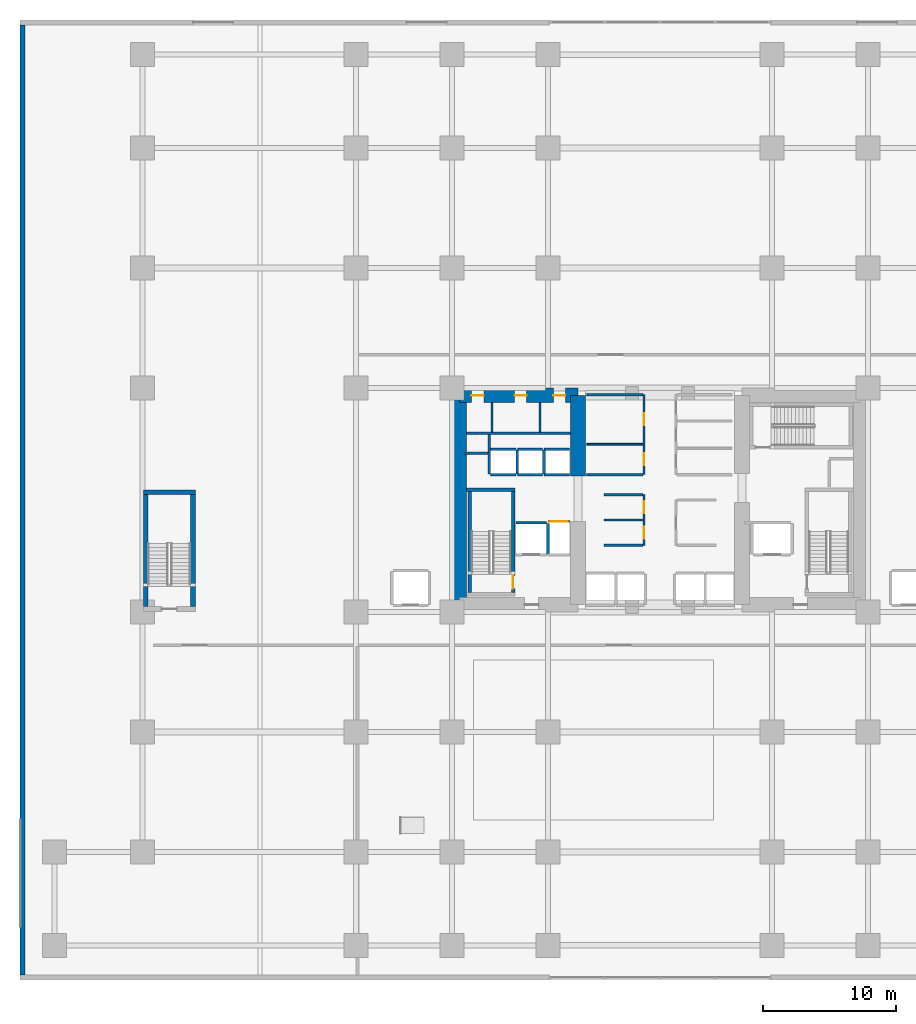
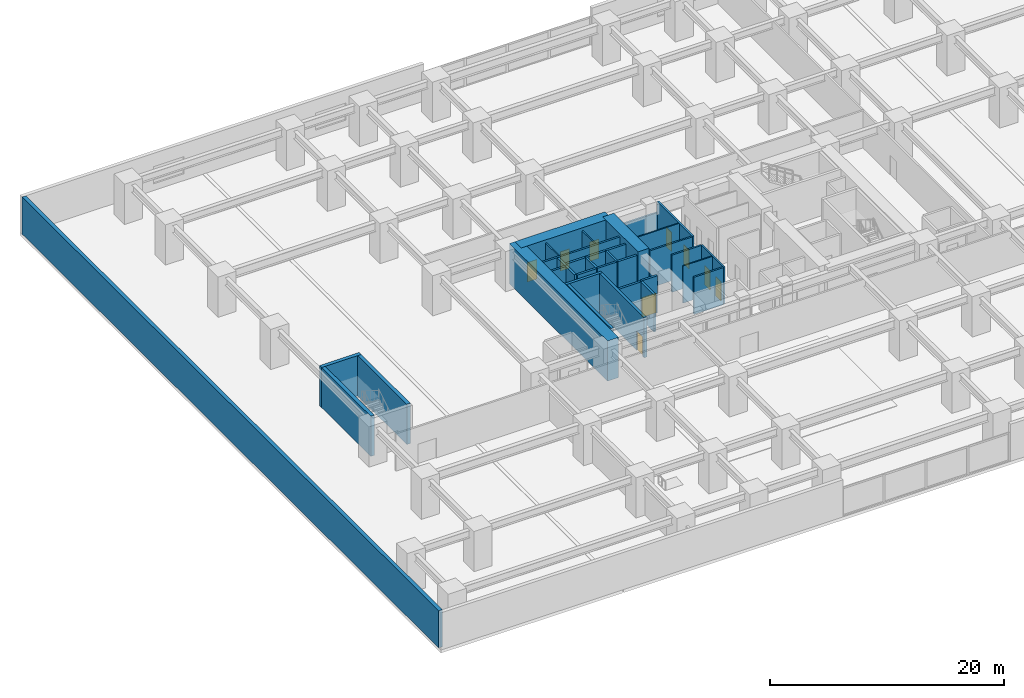
# One storey, part 11 of 22: 35 walls, 9 doors, 9 openings.
"""IFC4 building model written with IfcOpenShell, lengths in metres."""

from ifc_helpers import new_model, si_unit, direction, frame, frame_2d, origin, place, context, subcontext, project, spatial, rectangle, extrude, material, layer, layer_set, type_object, element, fill, save


model = new_model("IFC4")

# Units and contexts
model_context = context("Model", 3, precision=1e-05, world=origin(), true_north=direction((0.0, 1.0)))
body_context = subcontext(model_context, "Body", "Model", "MODEL_VIEW")
ifc_project = project(units=[si_unit("LENGTHUNIT", "METRE"), si_unit("AREAUNIT", "SQUARE_METRE"), si_unit("VOLUMEUNIT", "CUBIC_METRE"), si_unit("PLANEANGLEUNIT", "RADIAN"), si_unit("MASSUNIT", "GRAM", prefix="KILO")], contexts=[model_context])

# Site, building, storey
site_placement = place(None, origin())
site = spatial("IfcSite", under=ifc_project, at=site_placement, CompositionType="ELEMENT")
building_placement = place(site_placement, origin())
building = spatial("IfcBuilding", under=site, at=building_placement, Name="Kiyonajd Concourse Tower", CompositionType="ELEMENT")
storey_placement = place(building_placement, frame((0.0, 0.0, 4.5)))
storey = spatial("IfcBuildingStorey", under=building, at=storey_placement, Name="L02", CompositionType="ELEMENT", Elevation=4.5)

# Walls
ifc_material_1 = material(Name="Concrete C80/95", Category="concrete")
ifc_layer_1 = layer(ifc_material_1, 1.10009765625)
ifc_layer_set_1 = layer_set([ifc_layer_1], Name="Concrete C80/95")
wall_type_1 = type_object("IfcWallType", Name="WL-CORE-1100", PredefinedType="SHEAR", material=ifc_layer_set_1)
wall_1_placement = place(storey_placement, frame((32.949951171875, 27.60009765625, 0.0), z_axis=(0.0, 0.0, 1.0), x_axis=(0.0, 1.0, 0.0)))
element("IfcWall", 1, at=wall_1_placement, inside=storey, type_object=wall_type_1, Name="L02 West Core Outer Shear Wall", PredefinedType="SHEAR", context=body_context, shape_type="SweptSolid", body=[
    extrude(rectangle(XDim=16.7998046875, YDim=1.10009765625, at=frame_2d((8.39990234375, 0.0))), origin(), (0.0, 0.0, 1.0), 4.199951171875),
])
wall_2_placement = place(storey_placement, frame((41.85009765625, 37.800048828125, 0.0), z_axis=(0.0, 0.0, 1.0), x_axis=(0.0, 1.0, 0.0)))
element("IfcWall", 2, at=wall_2_placement, inside=storey, type_object=wall_type_1, Name="L02 West Core Inner North Shear Wall", PredefinedType="SHEAR", context=body_context, shape_type="SweptSolid", body=[
    extrude(rectangle(XDim=6.050048828125, YDim=1.10009765625, at=frame_2d((3.02490234375, 0.0))), origin(), (0.0, 0.0, 1.0), 4.199951171875),
])

# Wall, openings, doors
wall_3_placement = place(storey_placement, frame((32.949951171875, 43.85009765625, 0.0), z_axis=(0.0, 0.0, 1.0), x_axis=(1.0, 0.0, 0.0)))
wall_3 = element("IfcWall", 3, at=wall_3_placement, inside=storey, type_object=wall_type_1, Name="L02 West Core North Shear Wall", PredefinedType="SHEAR", context=body_context, shape_type="SweptSolid", body=[
    extrude(rectangle(XDim=8.900146484375, YDim=1.10009765625, at=frame_2d((4.4501953125, 0.0))), origin(), (0.0, 0.0, 1.0), 4.199951171875),
])
opening_1_placement = place(wall_3_placement, frame((0.89990234375, 0.0, 0.0)))
opening_1 = element("IfcOpeningElement", 4, at=opening_1_placement, cuts=wall_3, Name="Opening DI1", PredefinedType="OPENING", context=body_context, shape_type="SweptSolid", body=[
    extrude(rectangle(XDim=0.949951171875, YDim=2.0400390625, at=frame_2d((0.47509765625, 1.02001953125))), frame((0.0, 0.56005859375, 0.0), z_axis=(0.0, -1.0, 0.0), x_axis=(1.0, 0.0, 0.0)), (0.0, 0.0, 1.0), 1.1201171875),
])
opening_2_placement = place(wall_3_placement, frame((4.14990234375, 0.0, 0.0)))
opening_2 = element("IfcOpeningElement", 5, at=opening_2_placement, cuts=wall_3, Name="Opening DI2", PredefinedType="OPENING", context=body_context, shape_type="SweptSolid", body=[
    extrude(rectangle(XDim=0.89990234375, YDim=2.02001953125, at=frame_2d((0.449951171875, 1.010009765625))), frame((0.0, 0.56005859375, 0.0), z_axis=(0.0, -1.0, 0.0), x_axis=(1.0, 0.0, 0.0)), (0.0, 0.0, 1.0), 1.1201171875),
])
opening_3_placement = place(wall_3_placement, frame((7.050048828125, 0.0, 0.0)))
opening_3 = element("IfcOpeningElement", 6, at=opening_3_placement, cuts=wall_3, Name="Opening DI2", PredefinedType="OPENING", context=body_context, shape_type="SweptSolid", body=[
    extrude(rectangle(XDim=0.89990234375, YDim=2.02001953125, at=frame_2d((0.449951171875, 1.010009765625))), frame((0.0, 0.56005859375, 0.0), z_axis=(0.0, -1.0, 0.0), x_axis=(1.0, 0.0, 0.0)), (0.0, 0.0, 1.0), 1.1201171875),
])
ifc_material_2 = material(Name="Natural Oak Acoustic Timber Veneer", Category="wood")
door_type_1 = type_object("IfcDoorType", Name="DR-INT-900", OperationType="NOTDEFINED", PredefinedType="DOOR", material=ifc_material_2)
door_1_placement = place(opening_2_placement, origin())
door_1 = element("IfcDoor", 7, at=door_1_placement, inside=storey, type_object=door_type_1, Name="L02 Male Restroom Door", OperationType="SINGLE_SWING_RIGHT", OverallHeight=2.02001953125, OverallWidth=0.89990234375, PredefinedType="DOOR", context=body_context, shape_type="SweptSolid", body=[
    extrude(rectangle(XDim=0.89990234375, YDim=2.02001953125, at=frame_2d((0.449951171875, 1.010009765625))), frame((0.0, 0.02490234375, 0.0), z_axis=(0.0, -1.0, 0.0), x_axis=(1.0, 0.0, 0.0)), (0.0, 0.0, 1.0), 0.050048828125),
])
fill(opening_2, door_1)
door_2_placement = place(opening_3_placement, origin())
door_2 = element("IfcDoor", 8, at=door_2_placement, inside=storey, type_object=door_type_1, Name="L02 Female Restroom Door", OperationType="SINGLE_SWING_LEFT", OverallHeight=2.02001953125, OverallWidth=0.89990234375, PredefinedType="DOOR", context=body_context, shape_type="SweptSolid", body=[
    extrude(rectangle(XDim=0.89990234375, YDim=2.02001953125, at=frame_2d((0.449951171875, 1.010009765625))), frame((0.0, 0.02490234375, 0.0), z_axis=(0.0, -1.0, 0.0), x_axis=(1.0, 0.0, 0.0)), (0.0, 0.0, 1.0), 0.050048828125),
])
fill(opening_3, door_2)
door_type_2 = type_object("IfcDoorType", Name="DR-INT-950", OperationType="NOTDEFINED", PredefinedType="DOOR", material=ifc_material_2)
door_3_placement = place(opening_1_placement, origin())
door_3 = element("IfcDoor", 9, at=door_3_placement, inside=storey, type_object=door_type_2, Name="L02 Single User Accessible WC Door", OperationType="SINGLE_SWING_LEFT", OverallHeight=2.0400390625, OverallWidth=0.949951171875, PredefinedType="DOOR", context=body_context, shape_type="SweptSolid", body=[
    extrude(rectangle(XDim=0.949951171875, YDim=2.0400390625, at=frame_2d((0.47509765625, 1.02001953125))), frame((0.0, 0.02490234375, 0.0), z_axis=(0.0, -1.0, 0.0), x_axis=(1.0, 0.0, 0.0)), (0.0, 0.0, 1.0), 0.050048828125),
])
fill(opening_1, door_3)

# Walls
ifc_material_3 = material(Name="Precast concrete C50/60", Category="concrete")
ifc_layer_2 = layer(ifc_material_3, 0.360107421875)
ifc_layer_set_2 = layer_set([ifc_layer_2], Name="Precast concrete C50/60")
wall_type_2 = type_object("IfcWallType", Name="WL-EXT-360", PredefinedType="SOLIDWALL", material=ifc_layer_set_2)
wall_4_placement = place(storey_placement, frame((0.179931640625, 0.360107421875, 0.0), z_axis=(0.0, 0.0, 1.0), x_axis=(0.0, 1.0, 0.0)))
element("IfcWall", 10, at=wall_4_placement, inside=storey, type_object=wall_type_2, Name="L02 West Podium Limestone Facade Wall", PredefinedType="SOLIDWALL", context=body_context, shape_type="SweptSolid", body=[
    extrude(rectangle(XDim=71.27978515625, YDim=0.360107421875, at=frame_2d((35.639892578125, 0.0))), origin(), (0.0, 0.0, 1.0), 3.8798828125),
])
ifc_material_4 = material(Name="Gypsum Board on Cold-Formed Steel Stud", Category="steel")
ifc_layer_3 = layer(ifc_material_4, 0.125)
ifc_layer_set_3 = layer_set([ifc_layer_3], Name="Gypsum Board on Cold-Formed Steel Stud")
wall_type_3 = type_object("IfcWallType", Name="WL-PART-125", PredefinedType="PARTITIONING", material=ifc_layer_set_3)
for number, where, z_axis, x_axis, name in (
    (11, (35.39990234375, 41.094970703125, 0.0), (0.0, 0.0, 1.0), (0.0, 1.0, 0.0), "L02 Interior Partition Wall"),
    (12, (39.0, 41.094970703125, 0.0), (0.0, 0.0, 1.0), (0.0, 1.0, 0.0), "L02 Interior Partition Wall"),
):
    element("IfcWall", number, at=place(storey_placement, frame(where, z_axis=z_axis, x_axis=x_axis)), inside=storey, type_object=wall_type_3, Name=name, PredefinedType="PARTITIONING", context=body_context, shape_type="SweptSolid", body=[
        extrude(rectangle(XDim=2.205078125, YDim=0.125, at=frame_2d((1.1025390625, 0.0))), origin(), (0.0, 0.0, 1.0), 3.8798828125),
    ])
wall_5_placement = place(storey_placement, frame((43.800048828125, 34.5, 0.0), z_axis=(0.0, 0.0, 1.0), x_axis=(1.0, 0.0, 0.0)))
element("IfcWall", 13, at=wall_5_placement, inside=storey, type_object=wall_type_3, Name="L02 Interior Partition Wall", PredefinedType="PARTITIONING", context=body_context, shape_type="SweptSolid", body=[
    extrude(rectangle(XDim=2.912841796875, YDim=0.125, at=frame_2d((1.45654296875, 0.0))), origin(), (0.0, 0.0, 1.0), 3.8798828125),
])
wall_6_placement = place(storey_placement, frame((42.5, 40.179931640625, 0.0), z_axis=(0.0, 0.0, 1.0), x_axis=(1.0, 0.0, 0.0)))
element("IfcWall", 14, at=wall_6_placement, inside=storey, type_object=wall_type_3, Name="L02 Interior Partition Wall", PredefinedType="PARTITIONING", context=body_context, shape_type="SweptSolid", body=[
    extrude(rectangle(XDim=4.212890625, YDim=0.125, at=frame_2d((2.1064453125, 0.0))), origin(), (0.0, 0.0, 1.0), 3.8798828125),
])
ifc_layer_4 = layer(ifc_material_4, 0.18994140625)
ifc_layer_set_4 = layer_set([ifc_layer_4], Name="Gypsum Board on Cold-Formed Steel Stud")
wall_type_4 = type_object("IfcWallType", Name="WL-PLMB-190", PredefinedType="PLUMBINGWALL", material=ifc_layer_set_4)
wall_7_placement = place(storey_placement, frame((33.5, 41.0, 0.0), z_axis=(0.0, 0.0, 1.0), x_axis=(1.0, 0.0, 0.0)))
element("IfcWall", 15, at=wall_7_placement, inside=storey, type_object=wall_type_4, Name="L02 Interior Partition Wall", PredefinedType="PLUMBINGWALL", context=body_context, shape_type="SweptSolid", body=[
    extrude(rectangle(XDim=7.800048828125, YDim=0.18994140625, at=frame_2d((3.89990234375, 0.0))), origin(), (0.0, 0.0, 1.0), 3.8798828125),
])
ifc_layer_5 = layer(ifc_material_4, 0.2099609375)
ifc_layer_set_5 = layer_set([ifc_layer_5], Name="Gypsum Board on Cold-Formed Steel Stud")
wall_type_5 = type_object("IfcWallType", Name="WL-SHAFT-210", PredefinedType="PARTITIONING", material=ifc_layer_set_5)
wall_8_placement = place(storey_placement, frame((33.360107421875, 39.5, 0.0), z_axis=(0.0, 0.0, 1.0), x_axis=(1.0, 0.0, 0.0)))
element("IfcWall", 16, at=wall_8_placement, inside=storey, type_object=wall_type_5, Name="L02 Shaft Enclosure Wall", PredefinedType="PARTITIONING", context=body_context, shape_type="SweptSolid", body=[
    extrude(rectangle(XDim=1.85986328125, YDim=0.2099609375, at=frame_2d((0.929931640625, 0.0))), origin(), (0.0, 0.0, 1.0), 3.8798828125),
])
wall_9_placement = place(storey_placement, frame((35.199951171875, 39.580078125, 0.0), z_axis=(0.0, 0.0, 1.0), x_axis=(0.0, 1.0, 0.0)))
element("IfcWall", 17, at=wall_9_placement, inside=storey, type_object=wall_type_5, Name="L02 Shaft Enclosure Wall", PredefinedType="PARTITIONING", context=body_context, shape_type="SweptSolid", body=[
    extrude(rectangle(XDim=1.31982421875, YDim=0.2099609375, at=frame_2d((0.659912109375, 0.0))), origin(), (0.0, 0.0, 1.0), 3.8798828125),
])
wall_10_placement = place(storey_placement, frame((37.199951171875, 34.300048828125, 0.0), z_axis=(0.0, 0.0, 1.0), x_axis=(1.0, 0.0, 0.0)))
element("IfcWall", 18, at=wall_10_placement, inside=storey, type_object=wall_type_5, Name="L02 Shaft Enclosure Wall", PredefinedType="PARTITIONING", context=body_context, shape_type="SweptSolid", body=[
    extrude(rectangle(XDim=2.300048828125, YDim=0.2099609375, at=frame_2d((1.14990234375, 0.0))), origin(), (0.0, 0.0, 1.0), 3.8798828125),
])
wall_11_placement = place(storey_placement, frame((39.60009765625, 31.9599609375, 0.0), z_axis=(0.0, 0.0, 1.0), x_axis=(0.0, 1.0, 0.0)))
element("IfcWall", 19, at=wall_11_placement, inside=storey, type_object=wall_type_5, Name="L02 Shaft Enclosure Wall", PredefinedType="PARTITIONING", context=body_context, shape_type="SweptSolid", body=[
    extrude(rectangle(XDim=2.280029296875, YDim=0.2099609375, at=frame_2d((1.14013671875, 0.0))), origin(), (0.0, 0.0, 1.0), 3.8798828125),
])

# Wall, opening, door
wall_12_placement = place(storey_placement, frame((39.60009765625, 34.39990234375, 0.0), z_axis=(0.0, 0.0, 1.0), x_axis=(1.0, 0.0, 0.0)))
wall_12 = element("IfcWall", 20, at=wall_12_placement, inside=storey, type_object=wall_type_5, Name="L02 Shaft Enclosure Wall", PredefinedType="PARTITIONING", context=body_context, shape_type="SweptSolid", body=[
    extrude(rectangle(XDim=1.599853515625, YDim=0.2099609375, at=frame_2d((0.7998046875, 0.0))), origin(), (0.0, 0.0, 1.0), 3.8798828125),
])
opening_4_placement = place(wall_12_placement, frame((0.10009765625, 0.0, 0.0)))
opening_4 = element("IfcOpeningElement", 21, at=opening_4_placement, cuts=wall_12, Name="Opening LD3", PredefinedType="OPENING", context=body_context, shape_type="SweptSolid", body=[
    extrude(rectangle(XDim=1.39990234375, YDim=2.06005859375, at=frame_2d((0.699951171875, 1.030029296875))), frame((0.0, 0.114990234375, 0.0), z_axis=(0.0, -1.0, 0.0), x_axis=(1.0, 0.0, 0.0)), (0.0, 0.0, 1.0), 0.22998046875),
])
ifc_material_5 = material(Name="Brushed Stainless Steel Cab Assembly", Category="steel")
door_type_3 = type_object("IfcDoorType", Name="DR-LD-1400", OperationType="DOUBLE_DOOR_SLIDING", PredefinedType="DOOR", material=ifc_material_5)
door_4_placement = place(opening_4_placement, origin())
door_4 = element("IfcDoor", 22, at=door_4_placement, inside=storey, type_object=door_type_3, Name="L02 Lift SVL1 Sliding Landing Door", OperationType="DOUBLE_DOOR_SLIDING", OverallHeight=2.06005859375, OverallWidth=1.39990234375, PredefinedType="DOOR", context=body_context, shape_type="SweptSolid", body=[
    extrude(rectangle(XDim=1.39990234375, YDim=2.06005859375, at=frame_2d((0.699951171875, 1.030029296875))), frame((0.0, 0.02490234375, 0.0), z_axis=(0.0, -1.0, 0.0), x_axis=(1.0, 0.0, 0.0)), (0.0, 0.0, 1.0), 0.050048828125),
])
fill(opening_4, door_4)

# Walls
for number, where, z_axis, x_axis, name in (
    (23, (35.300048828125, 37.89990234375, 0.0), (0.0, 0.0, 1.0), (1.0, 0.0, 0.0), "L02 Shaft Enclosure Wall"),
    (24, (35.300048828125, 39.800048828125, 0.0), (0.0, 0.0, 1.0), (1.0, 0.0, 0.0), "L02 Shaft Enclosure Wall"),
):
    element("IfcWall", number, at=place(storey_placement, frame(where, z_axis=z_axis, x_axis=x_axis)), inside=storey, type_object=wall_type_5, Name=name, PredefinedType="PARTITIONING", context=body_context, shape_type="SweptSolid", body=[
        extrude(rectangle(XDim=1.89990234375, YDim=0.2099609375, at=frame_2d((0.949951171875, 0.0))), origin(), (0.0, 0.0, 1.0), 3.8798828125),
    ])
wall_13_placement = place(storey_placement, frame((35.199951171875, 37.9599609375, 0.0), z_axis=(0.0, 0.0, 1.0), x_axis=(0.0, 1.0, 0.0)))
element("IfcWall", 25, at=wall_13_placement, inside=storey, type_object=wall_type_5, Name="L02 Shaft Enclosure Wall", PredefinedType="PARTITIONING", context=body_context, shape_type="SweptSolid", body=[
    extrude(rectangle(XDim=1.6201171875, YDim=0.2099609375, at=frame_2d((0.81005859375, 0.0))), origin(), (0.0, 0.0, 1.0), 3.8798828125),
])
wall_14_placement = place(storey_placement, frame((37.300048828125, 37.9599609375, 0.0), z_axis=(0.0, 0.0, 1.0), x_axis=(0.0, 1.0, 0.0)))
element("IfcWall", 26, at=wall_14_placement, inside=storey, type_object=wall_type_5, Name="L02 Shaft Enclosure Wall", PredefinedType="PARTITIONING", context=body_context, shape_type="SweptSolid", body=[
    extrude(rectangle(XDim=1.780029296875, YDim=0.2099609375, at=frame_2d((0.89013671875, 0.0))), origin(), (0.0, 0.0, 1.0), 3.8798828125),
])
for number, where, z_axis, x_axis, name in (
    (27, (37.300048828125, 37.89990234375, 0.0), (0.0, 0.0, 1.0), (1.0, 0.0, 0.0), "L02 Shaft Enclosure Wall"),
    (28, (37.300048828125, 39.800048828125, 0.0), (0.0, 0.0, 1.0), (1.0, 0.0, 0.0), "L02 Shaft Enclosure Wall"),
):
    element("IfcWall", number, at=place(storey_placement, frame(where, z_axis=z_axis, x_axis=x_axis)), inside=storey, type_object=wall_type_5, Name=name, PredefinedType="PARTITIONING", context=body_context, shape_type="SweptSolid", body=[
        extrude(rectangle(XDim=1.89990234375, YDim=0.2099609375, at=frame_2d((0.949951171875, 0.0))), origin(), (0.0, 0.0, 1.0), 3.8798828125),
    ])
wall_15_placement = place(storey_placement, frame((39.300048828125, 37.9599609375, 0.0), z_axis=(0.0, 0.0, 1.0), x_axis=(0.0, 1.0, 0.0)))
element("IfcWall", 29, at=wall_15_placement, inside=storey, type_object=wall_type_5, Name="L02 Shaft Enclosure Wall", PredefinedType="PARTITIONING", context=body_context, shape_type="SweptSolid", body=[
    extrude(rectangle(XDim=1.780029296875, YDim=0.2099609375, at=frame_2d((0.89013671875, 0.0))), origin(), (0.0, 0.0, 1.0), 3.8798828125),
])
for number, where, z_axis, x_axis, name in (
    (30, (39.300048828125, 37.89990234375, 0.0), (0.0, 0.0, 1.0), (1.0, 0.0, 0.0), "L02 Shaft Enclosure Wall"),
    (31, (39.300048828125, 39.800048828125, 0.0), (0.0, 0.0, 1.0), (1.0, 0.0, 0.0), "L02 Shaft Enclosure Wall"),
):
    element("IfcWall", number, at=place(storey_placement, frame(where, z_axis=z_axis, x_axis=x_axis)), inside=storey, type_object=wall_type_5, Name=name, PredefinedType="PARTITIONING", context=body_context, shape_type="SweptSolid", body=[
        extrude(rectangle(XDim=1.89990234375, YDim=0.2099609375, at=frame_2d((0.949951171875, 0.0))), origin(), (0.0, 0.0, 1.0), 3.8798828125),
    ])

# Wall, openings, doors
ifc_layer_6 = layer(ifc_material_4, 0.169921875)
ifc_layer_set_6 = layer_set([ifc_layer_6], Name="Gypsum Board on Cold-Formed Steel Stud")
wall_type_6 = type_object("IfcWallType", Name="WL-SMK-170", PredefinedType="PARTITIONING", material=ifc_layer_set_6)
wall_16_placement = place(storey_placement, frame((46.800048828125, 32.60009765625, 0.0), z_axis=(0.0, 0.0, 1.0), x_axis=(0.0, 1.0, 0.0)))
wall_16 = element("IfcWall", 32, at=wall_16_placement, inside=storey, type_object=wall_type_6, Name="L02 Interior Partition Wall", PredefinedType="PARTITIONING", context=body_context, shape_type="SweptSolid", body=[
    extrude(rectangle(XDim=3.7998046875, YDim=0.169921875, at=frame_2d((1.89990234375, 0.0))), origin(), (0.0, 0.0, 1.0), 3.8798828125),
])
opening_5_placement = place(wall_16_placement, frame((0.5, 0.0, 0.0)))
opening_5 = element("IfcOpeningElement", 33, at=opening_5_placement, cuts=wall_16, Name="Opening DI2", PredefinedType="OPENING", context=body_context, shape_type="SweptSolid", body=[
    extrude(rectangle(XDim=0.89990234375, YDim=2.02001953125, at=frame_2d((0.449951171875, 1.010009765625))), frame((0.0, 0.094970703125, 0.0), z_axis=(0.0, -1.0, 0.0), x_axis=(1.0, 0.0, 0.0)), (0.0, 0.0, 1.0), 0.18994140625),
])
opening_6_placement = place(wall_16_placement, frame((2.39990234375, 0.0, 0.0)))
opening_6 = element("IfcOpeningElement", 34, at=opening_6_placement, cuts=wall_16, Name="Opening DI2", PredefinedType="OPENING", context=body_context, shape_type="SweptSolid", body=[
    extrude(rectangle(XDim=0.89990234375, YDim=2.02001953125, at=frame_2d((0.449951171875, 1.010009765625))), frame((0.0, 0.094970703125, 0.0), z_axis=(0.0, -1.0, 0.0), x_axis=(1.0, 0.0, 0.0)), (0.0, 0.0, 1.0), 0.18994140625),
])
door_5_placement = place(opening_5_placement, origin())
door_5 = element("IfcDoor", 35, at=door_5_placement, inside=storey, type_object=door_type_1, Name="L02 Interior Door", OperationType="SINGLE_SWING_LEFT", OverallHeight=2.02001953125, OverallWidth=0.89990234375, PredefinedType="DOOR", context=body_context, shape_type="SweptSolid", body=[
    extrude(rectangle(XDim=0.89990234375, YDim=2.02001953125, at=frame_2d((0.449951171875, 1.010009765625))), frame((0.0, 0.02490234375, 0.0), z_axis=(0.0, -1.0, 0.0), x_axis=(1.0, 0.0, 0.0)), (0.0, 0.0, 1.0), 0.050048828125),
])
fill(opening_5, door_5)
door_6_placement = place(opening_6_placement, origin())
door_6 = element("IfcDoor", 36, at=door_6_placement, inside=storey, type_object=door_type_1, Name="L02 Interior Door", OperationType="SINGLE_SWING_RIGHT", OverallHeight=2.02001953125, OverallWidth=0.89990234375, PredefinedType="DOOR", context=body_context, shape_type="SweptSolid", body=[
    extrude(rectangle(XDim=0.89990234375, YDim=2.02001953125, at=frame_2d((0.449951171875, 1.010009765625))), frame((0.0, 0.02490234375, 0.0), z_axis=(0.0, -1.0, 0.0), x_axis=(1.0, 0.0, 0.0)), (0.0, 0.0, 1.0), 0.050048828125),
])
fill(opening_6, door_6)

# Walls
for number, where, z_axis, x_axis, name in (
    (37, (43.800048828125, 32.60009765625, 0.0), (0.0, 0.0, 1.0), (1.0, 0.0, 0.0), "L02 Interior Partition Wall"),
    (38, (43.800048828125, 36.39990234375, 0.0), (0.0, 0.0, 1.0), (1.0, 0.0, 0.0), "L02 Interior Partition Wall"),
):
    element("IfcWall", number, at=place(storey_placement, frame(where, z_axis=z_axis, x_axis=x_axis)), inside=storey, type_object=wall_type_6, Name=name, PredefinedType="PARTITIONING", context=body_context, shape_type="SweptSolid", body=[
        extrude(rectangle(XDim=2.912841796875, YDim=0.169921875, at=frame_2d((1.45654296875, 0.0))), origin(), (0.0, 0.0, 1.0), 3.8798828125),
    ])

# Wall, openings, doors
wall_17_placement = place(storey_placement, frame((46.800048828125, 37.89990234375, 0.0), z_axis=(0.0, 0.0, 1.0), x_axis=(0.0, 1.0, 0.0)))
wall_17 = element("IfcWall", 39, at=wall_17_placement, inside=storey, type_object=wall_type_6, Name="L02 Interior Partition Wall", PredefinedType="PARTITIONING", context=body_context, shape_type="SweptSolid", body=[
    extrude(rectangle(XDim=6.0, YDim=0.169921875, at=frame_2d((3.0, 0.0))), origin(), (0.0, 0.0, 1.0), 3.8798828125),
])
opening_7_placement = place(wall_17_placement, frame((0.68994140625, 0.0, 0.0)))
opening_7 = element("IfcOpeningElement", 40, at=opening_7_placement, cuts=wall_17, Name="Opening DI2", PredefinedType="OPENING", context=body_context, shape_type="SweptSolid", body=[
    extrude(rectangle(XDim=0.89990234375, YDim=2.02001953125, at=frame_2d((0.449951171875, 1.010009765625))), frame((0.0, 0.094970703125, 0.0), z_axis=(0.0, -1.0, 0.0), x_axis=(1.0, 0.0, 0.0)), (0.0, 0.0, 1.0), 0.18994140625),
])
opening_8_placement = place(wall_17_placement, frame((3.68994140625, 0.0, 0.0)))
opening_8 = element("IfcOpeningElement", 41, at=opening_8_placement, cuts=wall_17, Name="Opening DI2", PredefinedType="OPENING", context=body_context, shape_type="SweptSolid", body=[
    extrude(rectangle(XDim=0.89990234375, YDim=2.02001953125, at=frame_2d((0.449951171875, 1.010009765625))), frame((0.0, 0.094970703125, 0.0), z_axis=(0.0, -1.0, 0.0), x_axis=(1.0, 0.0, 0.0)), (0.0, 0.0, 1.0), 0.18994140625),
])
door_7_placement = place(opening_7_placement, origin())
door_7 = element("IfcDoor", 42, at=door_7_placement, inside=storey, type_object=door_type_1, Name="L02 Interior Door", OperationType="SINGLE_SWING_RIGHT", OverallHeight=2.02001953125, OverallWidth=0.89990234375, PredefinedType="DOOR", context=body_context, shape_type="SweptSolid", body=[
    extrude(rectangle(XDim=0.89990234375, YDim=2.02001953125, at=frame_2d((0.449951171875, 1.010009765625))), frame((0.0, 0.02490234375, 0.0), z_axis=(0.0, -1.0, 0.0), x_axis=(1.0, 0.0, 0.0)), (0.0, 0.0, 1.0), 0.050048828125),
])
fill(opening_7, door_7)
door_8_placement = place(opening_8_placement, origin())
door_8 = element("IfcDoor", 43, at=door_8_placement, inside=storey, type_object=door_type_1, Name="L02 Interior Door", OperationType="SINGLE_SWING_LEFT", OverallHeight=2.02001953125, OverallWidth=0.89990234375, PredefinedType="DOOR", context=body_context, shape_type="SweptSolid", body=[
    extrude(rectangle(XDim=0.89990234375, YDim=2.02001953125, at=frame_2d((0.449951171875, 1.010009765625))), frame((0.0, 0.02490234375, 0.0), z_axis=(0.0, -1.0, 0.0), x_axis=(1.0, 0.0, 0.0)), (0.0, 0.0, 1.0), 0.050048828125),
])
fill(opening_8, door_8)

# Walls
wall_18_placement = place(storey_placement, frame((42.5, 37.89990234375, 0.0), z_axis=(0.0, 0.0, 1.0), x_axis=(1.0, 0.0, 0.0)))
element("IfcWall", 44, at=wall_18_placement, inside=storey, type_object=wall_type_6, Name="L02 Interior Partition Wall", PredefinedType="PARTITIONING", context=body_context, shape_type="SweptSolid", body=[
    extrude(rectangle(XDim=4.212890625, YDim=0.169921875, at=frame_2d((2.1064453125, 0.0))), origin(), (0.0, 0.0, 1.0), 3.8798828125),
])
wall_19_placement = place(storey_placement, frame((42.5, 43.89990234375, 0.0), z_axis=(0.0, 0.0, 1.0), x_axis=(1.0, 0.0, 0.0)))
element("IfcWall", 45, at=wall_19_placement, inside=storey, type_object=wall_type_6, Name="L02 Interior Partition Wall", PredefinedType="PARTITIONING", context=body_context, shape_type="SweptSolid", body=[
    extrude(rectangle(XDim=4.212890625, YDim=0.169921875, at=frame_2d((2.1064453125, 0.0))), origin(), (0.0, 0.0, 1.0), 2.764892578125),
])
ifc_material_6 = material(Name="Concrete C50/60", Category="concrete")
ifc_layer_7 = layer(ifc_material_6, 0.260009765625)
ifc_layer_set_7 = layer_set([ifc_layer_7], Name="Concrete C50/60")
wall_type_7 = type_object("IfcWallType", Name="WL-STAIR-260", PredefinedType="SHEAR", material=ifc_layer_set_7)
wall_20_placement = place(storey_placement, frame((33.5, 36.780029296875, 0.0), z_axis=(0.0, 0.0, 1.0), x_axis=(1.0, 0.0, 0.0)))
element("IfcWall", 46, at=wall_20_placement, inside=storey, type_object=wall_type_7, Name="L02 Stair ST1 Structural North Wall", PredefinedType="SHEAR", context=body_context, shape_type="SweptSolid", body=[
    extrude(rectangle(XDim=3.610107421875, YDim=0.260009765625, at=frame_2d((1.80517578125, 0.0))), origin(), (0.0, 0.0, 1.0), 4.199951171875),
])
wall_21_placement = place(storey_placement, frame((33.719970703125, 29.050048828125, 0.0), z_axis=(0.0, 0.0, 1.0), x_axis=(0.0, 1.0, 0.0)))
element("IfcWall", 47, at=wall_21_placement, inside=storey, type_object=wall_type_7, Name="L02 Stair ST1 Structural West Wall", PredefinedType="SHEAR", context=body_context, shape_type="SweptSolid", body=[
    extrude(rectangle(XDim=7.599853515625, YDim=0.260009765625, at=frame_2d((3.7998046875, 0.0))), origin(), (0.0, 0.0, 1.0), 4.199951171875),
])

# Wall, opening, door
wall_22_placement = place(storey_placement, frame((36.97998046875, 29.050048828125, 0.0), z_axis=(0.0, 0.0, 1.0), x_axis=(0.0, 1.0, 0.0)))
wall_22 = element("IfcWall", 48, at=wall_22_placement, inside=storey, type_object=wall_type_7, Name="L02 Stair ST1 Structural East Wall", PredefinedType="SHEAR", context=body_context, shape_type="SweptSolid", body=[
    extrude(rectangle(XDim=7.599853515625, YDim=0.260009765625, at=frame_2d((3.7998046875, 0.0))), origin(), (0.0, 0.0, 1.0), 4.199951171875),
])
opening_9_placement = place(wall_22_placement, frame((0.300048828125, 0.0, 0.0)))
opening_9 = element("IfcOpeningElement", 49, at=opening_9_placement, cuts=wall_22, Name="Opening DF1", PredefinedType="OPENING", context=body_context, shape_type="SweptSolid", body=[
    extrude(rectangle(XDim=1.0, YDim=2.0400390625, at=frame_2d((0.5, 1.02001953125))), frame((0.0, 0.139892578125, 0.0), z_axis=(0.0, -1.0, 0.0), x_axis=(1.0, 0.0, 0.0)), (0.0, 0.0, 1.0), 0.280029296875),
])
door_type_4 = type_object("IfcDoorType", Name="DR-FD90-1000", OperationType="NOTDEFINED", PredefinedType="DOOR", material=ifc_material_5)
door_9_placement = place(opening_9_placement, origin())
door_9 = element("IfcDoor", 50, at=door_9_placement, inside=storey, type_object=door_type_4, Name="L02 Stair ST1 FSAE Door", OperationType="SINGLE_SWING_LEFT", OverallHeight=2.0400390625, OverallWidth=1.0, PredefinedType="DOOR", context=body_context, shape_type="SweptSolid", body=[
    extrude(rectangle(XDim=1.0, YDim=2.0400390625, at=frame_2d((0.5, 1.02001953125))), frame((0.0, 0.02490234375, 0.0), z_axis=(0.0, -1.0, 0.0), x_axis=(1.0, 0.0, 0.0)), (0.0, 0.0, 1.0), 0.050048828125),
])
fill(opening_9, door_9)

# Walls
ifc_layer_8 = layer(ifc_material_6, 0.35009765625)
ifc_layer_set_8 = layer_set([ifc_layer_8], Name="Concrete C50/60")
wall_type_8 = type_object("IfcWallType", Name="WL-STAIR-350", PredefinedType="SHEAR", material=ifc_layer_set_8)
wall_23_placement = place(storey_placement, frame((9.25, 36.574951171875, 0.0), z_axis=(0.0, 0.0, 1.0), x_axis=(1.0, 0.0, 0.0)))
element("IfcWall", 51, at=wall_23_placement, inside=storey, type_object=wall_type_8, Name="L02 Stair ST4 Structural North Wall", PredefinedType="SHEAR", context=body_context, shape_type="SweptSolid", body=[
    extrude(rectangle(XDim=3.89990234375, YDim=0.35009765625, at=frame_2d((1.949951171875, 0.0))), origin(), (0.0, 0.0, 1.0), 4.199951171875),
])
for number, where, z_axis, x_axis, name in (
    (52, (9.425048828125, 28.0, 0.0), (0.0, 0.0, 1.0), (0.0, 1.0, 0.0), "L02 Stair ST4 Structural West Wall"),
    (53, (12.97509765625, 28.0, 0.0), (0.0, 0.0, 1.0), (0.0, 1.0, 0.0), "L02 Stair ST4 Structural East Wall"),
):
    element("IfcWall", number, at=place(storey_placement, frame(where, z_axis=z_axis, x_axis=x_axis)), inside=storey, type_object=wall_type_8, Name=name, PredefinedType="SHEAR", context=body_context, shape_type="SweptSolid", body=[
        extrude(rectangle(XDim=8.39990234375, YDim=0.35009765625, at=frame_2d((4.199951171875, 0.0))), origin(), (0.0, 0.0, 1.0), 4.199951171875),
    ])

save(model, "model.ifc")
